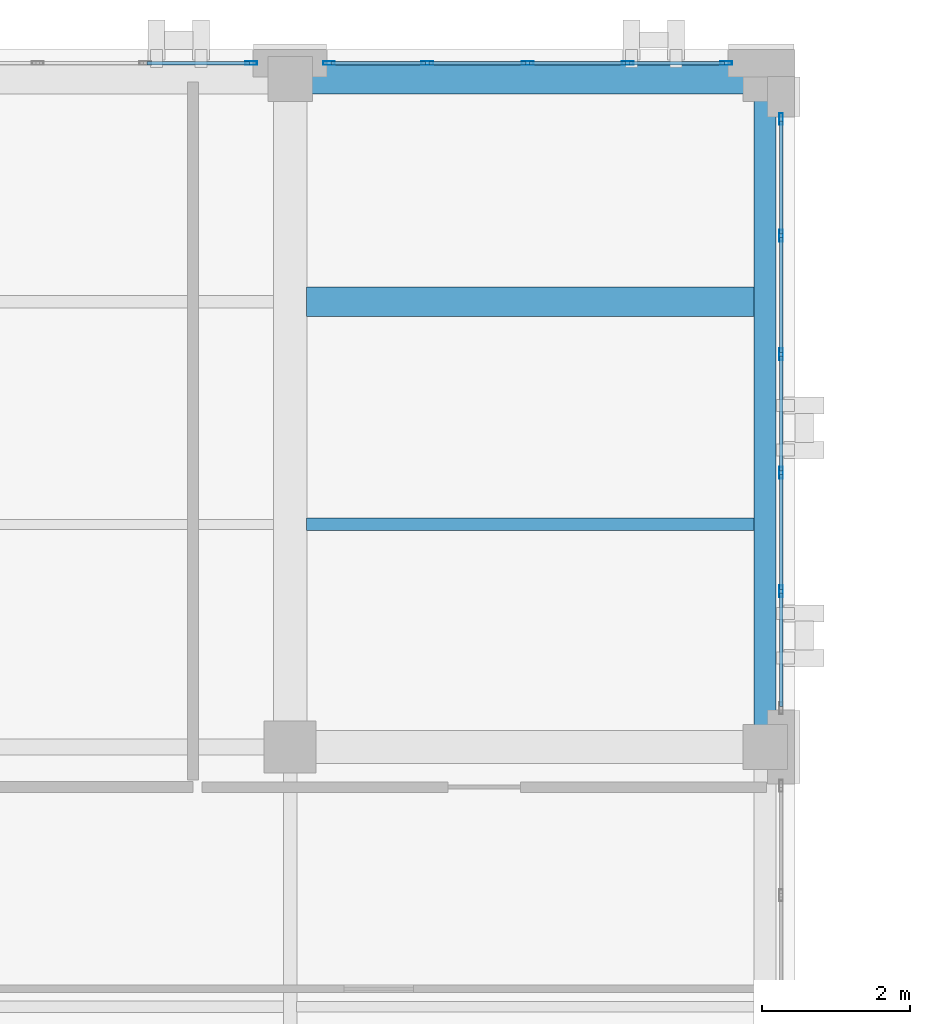
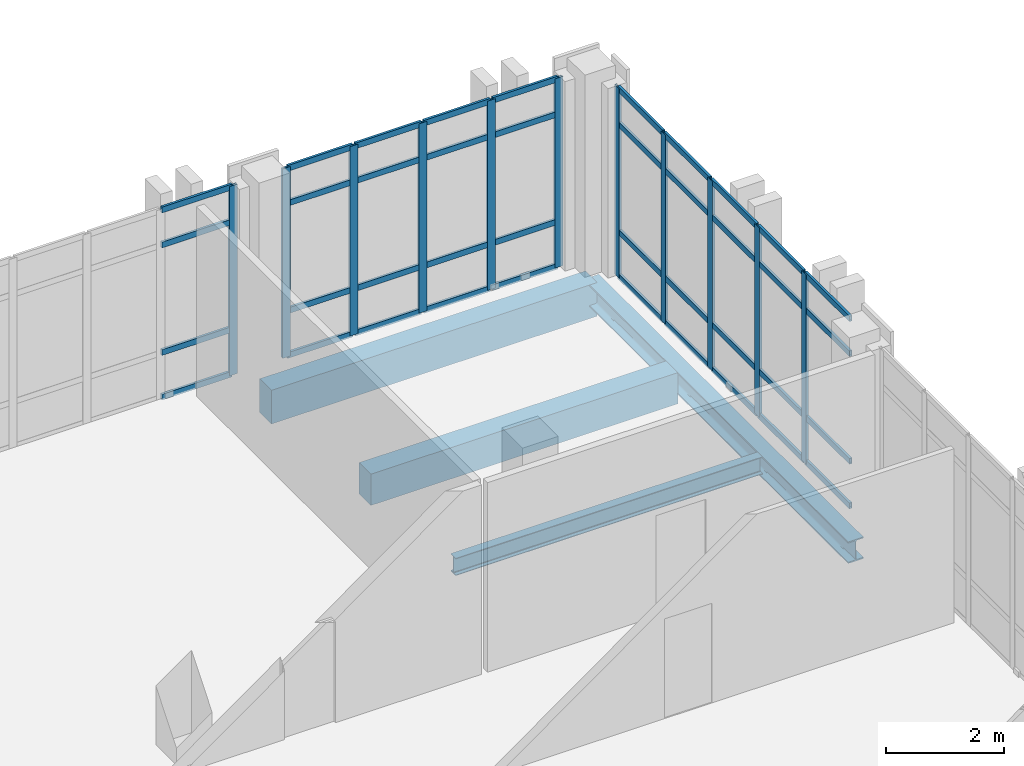
# One storey, part 50 of 77: 51 members, 4 beams, 3 elements without a shape of their own.
"""IFC4 building model written with IfcOpenShell, lengths in metres."""

import ifcopenshell
import ifcopenshell.guid

model = None  # the IFC model being written
_history = None  # IfcOwnerHistory: only IFC2X3 demands one
_inside = {}  # id of a spatial element -> (the spatial element, [elements in it])
_under = {}  # id of a project, library or spatial element -> (it, [spatial elements below it])
_declared = {}  # id of a project -> (the project, [libraries it declares])
_typed = {}  # id of a type object -> (the type object, [elements of that type])
_made_of = {}  # id of a material, layer set ... -> (it, [elements and type objects made of it])


def new_model(schema):
    """Start an empty IFC model of exactly this schema.

    Asked for "IFC4X3", IfcOpenShell would pick the latest addendum, in which some entities
    have other attributes; the version numbers below select the first issue.
    IFC2X3 requires an IfcOwnerHistory on every rooted entity: one is made here for all.
    """
    global model, _history
    if schema == "IFC4X3":
        model = ifcopenshell.file(schema_version=(4, 3, 0, 0))
    else:
        model = ifcopenshell.file(schema=schema)
    _inside.clear()
    _under.clear()
    _declared.clear()
    _typed.clear()
    _made_of.clear()
    _history = None
    if model.schema == "IFC2X3":
        org = make("IfcOrganization", Name="unknown")
        user = make(
            "IfcPersonAndOrganization",
            ThePerson=make("IfcPerson", FamilyName="unknown"),
            TheOrganization=org,
        )
        app = make(
            "IfcApplication",
            ApplicationDeveloper=org,
            Version="unknown",
            ApplicationFullName="unknown",
            ApplicationIdentifier="unknown",
        )
        _history = make(
            "IfcOwnerHistory",
            OwningUser=user,
            OwningApplication=app,
            ChangeAction="ADDED",
            CreationDate=0,
        )
    return model


def make(cls, **values):
    """One entity of the class cls with the attributes given. An attribute that is None is left unset."""
    return model.create_entity(
        cls, **{name: value for name, value in values.items() if value is not None}
    )


def rooted(cls, **values):
    """An entity with a GlobalId (a new one), such as an element, a storey or a relation."""
    return make(cls, GlobalId=ifcopenshell.guid.new(), OwnerHistory=_history, **values)


def si_unit(unit_type, name, prefix=None):
    """IfcSIUnit, for example si_unit("LENGTHUNIT", "METRE", prefix="MILLI")."""
    return make("IfcSIUnit", UnitType=unit_type, Prefix=prefix, Name=name)


def assignment(units):
    """IfcUnitAssignment: the units of a project."""
    return None if units is None else make("IfcUnitAssignment", Units=units)


def point(xyz):
    """IfcCartesianPoint."""
    return None if xyz is None else make("IfcCartesianPoint", Coordinates=xyz)


def direction(xyz):
    """IfcDirection."""
    return None if xyz is None else make("IfcDirection", DirectionRatios=xyz)


def frame(location, z_axis=None, x_axis=None):
    """IfcAxis2Placement3D, a coordinate frame: its origin and axes. An axis left out is left unset."""
    return make(
        "IfcAxis2Placement3D",
        Location=point(location),
        Axis=direction(z_axis),
        RefDirection=direction(x_axis),
    )


def frame_2d(location, x_axis=None):
    """IfcAxis2Placement2D, a coordinate frame in the plane: its origin and x axis."""
    return make(
        "IfcAxis2Placement2D", Location=point(location), RefDirection=direction(x_axis)
    )


def origin():
    """The frame at (0, 0, 0) with its axes left unset."""
    return frame((0.0, 0.0, 0.0))


def origin_2d():
    """The frame at (0, 0) in the plane with its x axis left unset."""
    return frame_2d((0.0, 0.0))


def place(relative_to, where):
    """IfcLocalPlacement: puts the frame where relative to a parent placement (None: the world)."""
    return make(
        "IfcLocalPlacement", PlacementRelTo=relative_to, RelativePlacement=where
    )


def context(
    kind, dimensions, precision=None, world=None, true_north=None, identifier=None
):
    """IfcGeometricRepresentationContext, for example the 3D "Model" context."""
    return make(
        "IfcGeometricRepresentationContext",
        ContextIdentifier=identifier,
        ContextType=kind,
        CoordinateSpaceDimension=dimensions,
        Precision=precision,
        WorldCoordinateSystem=world,
        TrueNorth=true_north,
    )


def subcontext(parent, identifier, kind, view, scale=None):
    """IfcGeometricRepresentationSubContext, for example "Body" below "Model"."""
    return make(
        "IfcGeometricRepresentationSubContext",
        ContextIdentifier=identifier,
        ContextType=kind,
        ParentContext=parent,
        TargetScale=scale,
        TargetView=view,
    )


def project(units=None, contexts=None):
    """IfcProject with its units and contexts."""
    return rooted(
        "IfcProject",
        Name="project",
        RepresentationContexts=contexts,
        UnitsInContext=assignment(units),
    )


def spatial(cls, under=None, at=None, **own):
    """A site, building, storey or space (cls), placed at a placement, below another one or the project."""
    s = rooted(cls, ObjectPlacement=at, **own)
    if under is not None:
        _under.setdefault(under.id(), (under, []))[1].append(s)
    return s


def profile(cls, at=None, kind="AREA", **sizes):
    """A parametric profile (cls). Its sizes go by their IFC names, for example OverallWidth=200.0."""
    return make(cls, ProfileType=kind, Position=at, **sizes)


def rectangle(**sizes):
    """IfcRectangleProfileDef."""
    return profile("IfcRectangleProfileDef", **sizes)


def hollow_rectangle(**sizes):
    """IfcRectangleHollowProfileDef."""
    return profile("IfcRectangleHollowProfileDef", **sizes)


def i_section(**sizes):
    """IfcIShapeProfileDef."""
    return profile("IfcIShapeProfileDef", **sizes)


def extrude(swept, where, along, depth):
    """IfcExtrudedAreaSolid: the profile swept, set in the frame where, extruded along a direction by depth."""
    return make(
        "IfcExtrudedAreaSolid",
        SweptArea=swept,
        Position=where,
        ExtrudedDirection=direction(along),
        Depth=depth,
    )


def shape(context_of_items, identifier, shape_type, items):
    """IfcShapeRepresentation: the items that make up one representation, for example the "Body"."""
    return make(
        "IfcShapeRepresentation",
        ContextOfItems=context_of_items,
        RepresentationIdentifier=identifier,
        RepresentationType=shape_type,
        Items=items,
    )


def material(Name=None, Category=None):
    """IfcMaterial."""
    return make("IfcMaterial", Name=Name, Category=Category)


def layer(
    of_material, thickness, ventilated=None, Name=None, Category=None, Priority=None
):
    """IfcMaterialLayer: one layer of a wall or slab, of a material (None: an air gap)."""
    return make(
        "IfcMaterialLayer",
        Material=of_material,
        LayerThickness=thickness,
        IsVentilated=ventilated,
        Name=Name,
        Category=Category,
        Priority=Priority,
    )


def layer_set(layers, Name=None):
    """IfcMaterialLayerSet."""
    return make("IfcMaterialLayerSet", MaterialLayers=layers, LayerSetName=Name)


def material_profile(
    of_material, cross_section, Name=None, Category=None, Priority=None
):
    """IfcMaterialProfile: a cross section and its material."""
    return make(
        "IfcMaterialProfile",
        Name=Name,
        Material=of_material,
        Profile=cross_section,
        Priority=Priority,
        Category=Category,
    )


def profile_set(profiles, Name=None, composite=None):
    """IfcMaterialProfileSet."""
    return make(
        "IfcMaterialProfileSet",
        Name=Name,
        MaterialProfiles=profiles,
        CompositeProfile=composite,
    )


def made_of(thing, what):
    """Note that an element or type object is made of a material, layer set ...; save() writes the relation."""
    if what is not None:
        _made_of.setdefault(what.id(), (what, []))[1].append(thing)
    return thing


def type_object(cls, material=None, **own):
    """A type object (cls), such as IfcWallType, which elements share."""
    return made_of(rooted(cls, **own), material)


def element(
    cls,
    number,
    at=None,
    inside=None,
    cuts=None,
    type_object=None,
    material=None,
    context=None,
    identifier="Body",
    shape_type=None,
    held_by="IfcProductDefinitionShape",
    body=None,
    shapes=None,
    **own,
):
    """One element of the class cls, such as IfcWall. Its Tag is "e" and its number.

    at: its placement. inside: the storey or other place that contains it. cuts: it is an
    opening in that element (IfcRelVoidsElement). A single representation is given by context,
    identifier, shape_type and body (its items); several are given by shapes. held_by: the class
    of the entity that holds the representations. save() writes the other relations.
    """
    e = rooted(cls, Tag="e%d" % number, ObjectPlacement=at, **own)
    if body is not None:
        shapes = [shape(context, identifier, shape_type, body)]
    if shapes is not None:
        e.Representation = make(held_by, Representations=shapes)
    if inside is not None:
        _inside.setdefault(inside.id(), (inside, []))[1].append(e)
    if cuts is not None:
        rooted(
            "IfcRelVoidsElement", RelatingBuildingElement=cuts, RelatedOpeningElement=e
        )
    if type_object is not None:
        _typed.setdefault(type_object.id(), (type_object, []))[1].append(e)
    return made_of(e, material)


def aggregate(whole, parts):
    """IfcRelAggregates: a whole, such as a stair, and the parts it consists of."""
    return rooted("IfcRelAggregates", RelatingObject=whole, RelatedObjects=parts)


def save(model, path):
    """Write the relations noted so far, then the file.

    IfcRelAggregates (storeys below a building ...), IfcRelContainedInSpatialStructure (elements
    in a storey), IfcRelDefinesByType, IfcRelAssociatesMaterial and IfcRelDeclares: one each for
    every whole, place, type object, material and project.
    """
    for whole, parts in _under.values():
        aggregate(whole, parts)
    for where, things in _inside.values():
        rooted(
            "IfcRelContainedInSpatialStructure",
            RelatedElements=things,
            RelatingStructure=where,
        )
    for kind, things in _typed.values():
        rooted("IfcRelDefinesByType", RelatedObjects=things, RelatingType=kind)
    for what, things in _made_of.values():
        rooted("IfcRelAssociatesMaterial", RelatedObjects=things, RelatingMaterial=what)
    for by, libraries in _declared.values():
        rooted("IfcRelDeclares", RelatingContext=by, RelatedDefinitions=libraries)
    model.write(path)


model = new_model("IFC4")

# Units and contexts
model_context = context("Model", 3, precision=1e-05, world=origin(), true_north=direction((0.0, 1.0)))
body_context = subcontext(model_context, "Body", "Model", "MODEL_VIEW")
ifc_project = project(units=[si_unit("LENGTHUNIT", "METRE"), si_unit("AREAUNIT", "SQUARE_METRE"), si_unit("VOLUMEUNIT", "CUBIC_METRE"), si_unit("PLANEANGLEUNIT", "RADIAN"), si_unit("MASSUNIT", "GRAM", prefix="KILO")], contexts=[model_context])

# Site, building, storey
site_placement = place(None, origin())
site = spatial("IfcSite", under=ifc_project, at=site_placement, CompositionType="ELEMENT")
building_placement = place(site_placement, origin())
building = spatial("IfcBuilding", under=site, at=building_placement, Name="Qalavern Law Courts", CompositionType="ELEMENT")
storey_placement = place(building_placement, frame((0.0, 0.0, 27.0)))
storey = spatial("IfcBuildingStorey", under=building, at=storey_placement, Name="L06", CompositionType="ELEMENT", Elevation=27.0)

# Curtain wall, members
ifc_material_1 = material(Name="Anodised aluminium and insulated glazing", Category="aluminium")
ifc_layer = layer(ifc_material_1, 0.166015625)
ifc_layer_set = layer_set([ifc_layer], Name="Anodised aluminium and insulated glazing")
curtain_wall_type = type_object("IfcCurtainWallType", Name="ENV-CW-LIB", PredefinedType="USERDEFINED", material=ifc_layer_set)
curtain_wall_1_placement = place(storey_placement, origin())
curtain_wall_1 = element("IfcCurtainWall", 1, at=curtain_wall_1_placement, inside=storey, type_object=curtain_wall_type, Name="V5 unitised curtain wall L06 east 2", ObjectType="UNITISED CURTAIN WALL", PredefinedType="USERDEFINED")
ifc_material_2 = material(Name="Anodised aluminium", Category="aluminium")
ifc_material_profile_1 = material_profile(ifc_material_2, hollow_rectangle(XDim=0.048095703125, YDim=0.159912109375, WallThickness=0.00390625, at=origin_2d()), Name="ALU MULLION 48x160")
ifc_profile_set_1 = profile_set([ifc_material_profile_1], Name="Anodised aluminium")
member_type_1 = type_object("IfcMemberType", Name="ENV-CWM-48x160", PredefinedType="MULLION", material=ifc_profile_set_1)
member_1_placement = place(storey_placement, frame((58.215087890625, 105.697021484375, 0.0), z_axis=(0.0, 0.0, 1.0), x_axis=(-1.0, 0.0, 0.0)))
member_1 = element("IfcMember", 2, at=member_1_placement, type_object=member_type_1, Name="CW-05 mullion 2", PredefinedType="MULLION", context=body_context, shape_type="SweptSolid", body=[
    extrude(hollow_rectangle(XDim=0.048095703125, YDim=0.159912109375, WallThickness=0.00390625, at=origin_2d()), origin(), (0.0, 0.0, 1.0), 3.93505859375),
])
member_2_placement = place(storey_placement, frame((58.215087890625, 107.2939453125, 0.0), z_axis=(0.0, 0.0, 1.0), x_axis=(-1.0, 0.0, 0.0)))
member_2 = element("IfcMember", 3, at=member_2_placement, type_object=member_type_1, Name="CW-05 mullion 3", PredefinedType="MULLION", context=body_context, shape_type="SweptSolid", body=[
    extrude(hollow_rectangle(XDim=0.048095703125, YDim=0.159912109375, WallThickness=0.00390625, at=origin_2d()), origin(), (0.0, 0.0, 1.0), 3.93505859375),
])
member_3_placement = place(storey_placement, frame((58.215087890625, 108.89111328125, 0.0), z_axis=(0.0, 0.0, 1.0), x_axis=(-1.0, 0.0, 0.0)))
member_3 = element("IfcMember", 4, at=member_3_placement, type_object=member_type_1, Name="CW-05 mullion 4", PredefinedType="MULLION", context=body_context, shape_type="SweptSolid", body=[
    extrude(hollow_rectangle(XDim=0.048095703125, YDim=0.159912109375, WallThickness=0.00390625, at=origin_2d()), origin(), (0.0, 0.0, 1.0), 3.93505859375),
])
member_4_placement = place(storey_placement, frame((58.215087890625, 110.488037109375, 0.0), z_axis=(0.0, 0.0, 1.0), x_axis=(-1.0, 0.0, 0.0)))
member_4 = element("IfcMember", 5, at=member_4_placement, type_object=member_type_1, Name="CW-05 mullion 5", PredefinedType="MULLION", context=body_context, shape_type="SweptSolid", body=[
    extrude(hollow_rectangle(XDim=0.048095703125, YDim=0.159912109375, WallThickness=0.00390625, at=origin_2d()), origin(), (0.0, 0.0, 1.0), 3.93505859375),
])
member_5_placement = place(storey_placement, frame((58.215087890625, 112.06103515625, 0.0), z_axis=(0.0, 0.0, 1.0), x_axis=(-1.0, 0.0, 0.0)))
member_5 = element("IfcMember", 6, at=member_5_placement, type_object=member_type_1, Name="CW-05 mullion 6", PredefinedType="MULLION", context=body_context, shape_type="SweptSolid", body=[
    extrude(hollow_rectangle(XDim=0.048095703125, YDim=0.159912109375, WallThickness=0.00390625, at=origin_2d()), origin(), (0.0, 0.0, 1.0), 3.93505859375),
])

curtain_wall_2_placement = place(storey_placement, origin())
curtain_wall_2 = element("IfcCurtainWall", 7, at=curtain_wall_2_placement, inside=storey, type_object=curtain_wall_type, Name="V5 unitised curtain wall L06 north 1", ObjectType="UNITISED CURTAIN WALL", PredefinedType="USERDEFINED")
member_6_placement = place(storey_placement, frame((57.47607421875, 112.81494140625, 0.0), z_axis=(0.0, 0.0, 1.0), x_axis=(0.0, -1.0, 0.0)))
member_6 = element("IfcMember", 8, at=member_6_placement, type_object=member_type_1, Name="CW-05 mullion 1", PredefinedType="MULLION", context=body_context, shape_type="SweptSolid", body=[
    extrude(hollow_rectangle(XDim=0.048095703125, YDim=0.159912109375, WallThickness=0.00390625, at=origin_2d()), origin(), (0.0, 0.0, 1.0), 3.93505859375),
])
member_7_placement = place(storey_placement, frame((56.14990234375, 112.81494140625, 0.0), z_axis=(0.0, 0.0, 1.0), x_axis=(0.0, -1.0, 0.0)))
member_7 = element("IfcMember", 9, at=member_7_placement, type_object=member_type_1, Name="CW-05 mullion 2", PredefinedType="MULLION", context=body_context, shape_type="SweptSolid", body=[
    extrude(hollow_rectangle(XDim=0.048095703125, YDim=0.159912109375, WallThickness=0.00390625, at=origin_2d()), origin(), (0.0, 0.0, 1.0), 3.93505859375),
])
member_8_placement = place(storey_placement, frame((54.800048828125, 112.81494140625, 0.0), z_axis=(0.0, 0.0, 1.0), x_axis=(0.0, -1.0, 0.0)))
member_8 = element("IfcMember", 10, at=member_8_placement, type_object=member_type_1, Name="CW-05 mullion 3", PredefinedType="MULLION", context=body_context, shape_type="SweptSolid", body=[
    extrude(hollow_rectangle(XDim=0.048095703125, YDim=0.159912109375, WallThickness=0.00390625, at=origin_2d()), origin(), (0.0, 0.0, 1.0), 3.93505859375),
])
member_9_placement = place(storey_placement, frame((53.449951171875, 112.81494140625, 0.0), z_axis=(0.0, 0.0, 1.0), x_axis=(0.0, -1.0, 0.0)))
member_9 = element("IfcMember", 11, at=member_9_placement, type_object=member_type_1, Name="CW-05 mullion 4", PredefinedType="MULLION", context=body_context, shape_type="SweptSolid", body=[
    extrude(hollow_rectangle(XDim=0.048095703125, YDim=0.159912109375, WallThickness=0.00390625, at=origin_2d()), origin(), (0.0, 0.0, 1.0), 3.93505859375),
])
member_10_placement = place(storey_placement, frame((52.1240234375, 112.81494140625, 0.0), z_axis=(0.0, 0.0, 1.0), x_axis=(0.0, -1.0, 0.0)))
member_10 = element("IfcMember", 12, at=member_10_placement, type_object=member_type_1, Name="CW-05 mullion 5", PredefinedType="MULLION", context=body_context, shape_type="SweptSolid", body=[
    extrude(hollow_rectangle(XDim=0.048095703125, YDim=0.159912109375, WallThickness=0.00390625, at=origin_2d()), origin(), (0.0, 0.0, 1.0), 3.93505859375),
])

# Curtain wall, member
curtain_wall_3_placement = place(storey_placement, origin())
curtain_wall_3 = element("IfcCurtainWall", 13, at=curtain_wall_3_placement, inside=storey, type_object=curtain_wall_type, Name="V5 unitised curtain wall L06 north 2", ObjectType="UNITISED CURTAIN WALL", PredefinedType="USERDEFINED")
member_11_placement = place(storey_placement, frame((51.075927734375, 112.81494140625, 0.0), z_axis=(0.0, 0.0, 1.0), x_axis=(0.0, -1.0, 0.0)))
member_11 = element("IfcMember", 14, at=member_11_placement, type_object=member_type_1, Name="CW-05 mullion 1", PredefinedType="MULLION", context=body_context, shape_type="SweptSolid", body=[
    extrude(hollow_rectangle(XDim=0.048095703125, YDim=0.159912109375, WallThickness=0.00390625, at=origin_2d()), origin(), (0.0, 0.0, 1.0), 3.93505859375),
])

# Member
ifc_material_profile_2 = material_profile(ifc_material_2, hollow_rectangle(XDim=0.048095703125, YDim=0.1201171875, WallThickness=0.00390625, at=origin_2d()), Name="ALU TRANSOM 48x120")
ifc_profile_set_2 = profile_set([ifc_material_profile_2], Name="Anodised aluminium")
member_type_2 = type_object("IfcMemberType", Name="ENV-CWT-48x120", PredefinedType="USERDEFINED", material=ifc_profile_set_2)
member_12_placement = place(storey_placement, frame((58.215087890625, 104.14794921875, 0.02392578125), z_axis=(0.0, 1.0, 0.0), x_axis=(-1.0, 0.0, 0.0)))
member_12 = element("IfcMember", 15, at=member_12_placement, type_object=member_type_2, Name="CW-05 transom 1.1", ObjectType="TRANSOM", PredefinedType="USERDEFINED", context=body_context, shape_type="SweptSolid", body=[
    extrude(hollow_rectangle(XDim=0.048095703125, YDim=0.1201171875, WallThickness=0.00390625, at=origin_2d()), origin(), (0.0, 0.0, 1.0), 1.525146484375),
])

member_13_placement = place(storey_placement, frame((58.215087890625, 104.14794921875, 0.949951171875), z_axis=(0.0, 1.0, 0.0), x_axis=(-1.0, 0.0, 0.0)))
member_13 = element("IfcMember", 16, at=member_13_placement, type_object=member_type_2, Name="CW-05 transom 1.2", ObjectType="TRANSOM", PredefinedType="USERDEFINED", context=body_context, shape_type="SweptSolid", body=[
    extrude(hollow_rectangle(XDim=0.048095703125, YDim=0.1201171875, WallThickness=0.00390625, at=origin_2d()), origin(), (0.0, 0.0, 1.0), 1.525146484375),
])

member_14_placement = place(storey_placement, frame((58.215087890625, 104.14794921875, 3.18505859375), z_axis=(0.0, 1.0, 0.0), x_axis=(-1.0, 0.0, 0.0)))
member_14 = element("IfcMember", 17, at=member_14_placement, type_object=member_type_2, Name="CW-05 transom 1.3", ObjectType="TRANSOM", PredefinedType="USERDEFINED", context=body_context, shape_type="SweptSolid", body=[
    extrude(hollow_rectangle(XDim=0.048095703125, YDim=0.1201171875, WallThickness=0.00390625, at=origin_2d()), origin(), (0.0, 0.0, 1.0), 1.525146484375),
])

member_15_placement = place(storey_placement, frame((58.215087890625, 104.14794921875, 3.910888671875), z_axis=(0.0, 1.0, 0.0), x_axis=(-1.0, 0.0, 0.0)))
member_15 = element("IfcMember", 18, at=member_15_placement, type_object=member_type_2, Name="CW-05 transom 1.4", ObjectType="TRANSOM", PredefinedType="USERDEFINED", context=body_context, shape_type="SweptSolid", body=[
    extrude(hollow_rectangle(XDim=0.048095703125, YDim=0.1201171875, WallThickness=0.00390625, at=origin_2d()), origin(), (0.0, 0.0, 1.0), 1.525146484375),
])

member_16_placement = place(storey_placement, frame((58.215087890625, 105.720947265625, 0.02392578125), z_axis=(0.0, 1.0, 0.0), x_axis=(-1.0, 0.0, 0.0)))
member_16 = element("IfcMember", 19, at=member_16_placement, type_object=member_type_2, Name="CW-05 transom 2.1", ObjectType="TRANSOM", PredefinedType="USERDEFINED", context=body_context, shape_type="SweptSolid", body=[
    extrude(hollow_rectangle(XDim=0.048095703125, YDim=0.1201171875, WallThickness=0.00390625, at=origin_2d()), origin(), (0.0, 0.0, 1.0), 1.549072265625),
])

member_17_placement = place(storey_placement, frame((58.215087890625, 105.720947265625, 0.949951171875), z_axis=(0.0, 1.0, 0.0), x_axis=(-1.0, 0.0, 0.0)))
member_17 = element("IfcMember", 20, at=member_17_placement, type_object=member_type_2, Name="CW-05 transom 2.2", ObjectType="TRANSOM", PredefinedType="USERDEFINED", context=body_context, shape_type="SweptSolid", body=[
    extrude(hollow_rectangle(XDim=0.048095703125, YDim=0.1201171875, WallThickness=0.00390625, at=origin_2d()), origin(), (0.0, 0.0, 1.0), 1.549072265625),
])

member_18_placement = place(storey_placement, frame((58.215087890625, 105.720947265625, 3.18505859375), z_axis=(0.0, 1.0, 0.0), x_axis=(-1.0, 0.0, 0.0)))
member_18 = element("IfcMember", 21, at=member_18_placement, type_object=member_type_2, Name="CW-05 transom 2.3", ObjectType="TRANSOM", PredefinedType="USERDEFINED", context=body_context, shape_type="SweptSolid", body=[
    extrude(hollow_rectangle(XDim=0.048095703125, YDim=0.1201171875, WallThickness=0.00390625, at=origin_2d()), origin(), (0.0, 0.0, 1.0), 1.549072265625),
])

member_19_placement = place(storey_placement, frame((58.215087890625, 105.720947265625, 3.910888671875), z_axis=(0.0, 1.0, 0.0), x_axis=(-1.0, 0.0, 0.0)))
member_19 = element("IfcMember", 22, at=member_19_placement, type_object=member_type_2, Name="CW-05 transom 2.4", ObjectType="TRANSOM", PredefinedType="USERDEFINED", context=body_context, shape_type="SweptSolid", body=[
    extrude(hollow_rectangle(XDim=0.048095703125, YDim=0.1201171875, WallThickness=0.00390625, at=origin_2d()), origin(), (0.0, 0.0, 1.0), 1.549072265625),
])

member_20_placement = place(storey_placement, frame((58.215087890625, 107.318115234375, 0.02392578125), z_axis=(0.0, 1.0, 0.0), x_axis=(-1.0, 0.0, 0.0)))
member_20 = element("IfcMember", 23, at=member_20_placement, type_object=member_type_2, Name="CW-05 transom 3.1", ObjectType="TRANSOM", PredefinedType="USERDEFINED", context=body_context, shape_type="SweptSolid", body=[
    extrude(hollow_rectangle(XDim=0.048095703125, YDim=0.1201171875, WallThickness=0.00390625, at=origin_2d()), origin(), (0.0, 0.0, 1.0), 1.548828125),
])

member_21_placement = place(storey_placement, frame((58.215087890625, 107.318115234375, 0.949951171875), z_axis=(0.0, 1.0, 0.0), x_axis=(-1.0, 0.0, 0.0)))
member_21 = element("IfcMember", 24, at=member_21_placement, type_object=member_type_2, Name="CW-05 transom 3.2", ObjectType="TRANSOM", PredefinedType="USERDEFINED", context=body_context, shape_type="SweptSolid", body=[
    extrude(hollow_rectangle(XDim=0.048095703125, YDim=0.1201171875, WallThickness=0.00390625, at=origin_2d()), origin(), (0.0, 0.0, 1.0), 1.548828125),
])

member_22_placement = place(storey_placement, frame((58.215087890625, 107.318115234375, 3.18505859375), z_axis=(0.0, 1.0, 0.0), x_axis=(-1.0, 0.0, 0.0)))
member_22 = element("IfcMember", 25, at=member_22_placement, type_object=member_type_2, Name="CW-05 transom 3.3", ObjectType="TRANSOM", PredefinedType="USERDEFINED", context=body_context, shape_type="SweptSolid", body=[
    extrude(hollow_rectangle(XDim=0.048095703125, YDim=0.1201171875, WallThickness=0.00390625, at=origin_2d()), origin(), (0.0, 0.0, 1.0), 1.548828125),
])

member_23_placement = place(storey_placement, frame((58.215087890625, 107.318115234375, 3.910888671875), z_axis=(0.0, 1.0, 0.0), x_axis=(-1.0, 0.0, 0.0)))
member_23 = element("IfcMember", 26, at=member_23_placement, type_object=member_type_2, Name="CW-05 transom 3.4", ObjectType="TRANSOM", PredefinedType="USERDEFINED", context=body_context, shape_type="SweptSolid", body=[
    extrude(hollow_rectangle(XDim=0.048095703125, YDim=0.1201171875, WallThickness=0.00390625, at=origin_2d()), origin(), (0.0, 0.0, 1.0), 1.548828125),
])

member_24_placement = place(storey_placement, frame((58.215087890625, 108.9150390625, 0.02392578125), z_axis=(0.0, 1.0, 0.0), x_axis=(-1.0, 0.0, 0.0)))
member_24 = element("IfcMember", 27, at=member_24_placement, type_object=member_type_2, Name="CW-05 transom 4.1", ObjectType="TRANSOM", PredefinedType="USERDEFINED", context=body_context, shape_type="SweptSolid", body=[
    extrude(hollow_rectangle(XDim=0.048095703125, YDim=0.1201171875, WallThickness=0.00390625, at=origin_2d()), origin(), (0.0, 0.0, 1.0), 1.549072265625),
])

member_25_placement = place(storey_placement, frame((58.215087890625, 108.9150390625, 0.949951171875), z_axis=(0.0, 1.0, 0.0), x_axis=(-1.0, 0.0, 0.0)))
member_25 = element("IfcMember", 28, at=member_25_placement, type_object=member_type_2, Name="CW-05 transom 4.2", ObjectType="TRANSOM", PredefinedType="USERDEFINED", context=body_context, shape_type="SweptSolid", body=[
    extrude(hollow_rectangle(XDim=0.048095703125, YDim=0.1201171875, WallThickness=0.00390625, at=origin_2d()), origin(), (0.0, 0.0, 1.0), 1.549072265625),
])

member_26_placement = place(storey_placement, frame((58.215087890625, 108.9150390625, 3.18505859375), z_axis=(0.0, 1.0, 0.0), x_axis=(-1.0, 0.0, 0.0)))
member_26 = element("IfcMember", 29, at=member_26_placement, type_object=member_type_2, Name="CW-05 transom 4.3", ObjectType="TRANSOM", PredefinedType="USERDEFINED", context=body_context, shape_type="SweptSolid", body=[
    extrude(hollow_rectangle(XDim=0.048095703125, YDim=0.1201171875, WallThickness=0.00390625, at=origin_2d()), origin(), (0.0, 0.0, 1.0), 1.549072265625),
])

member_27_placement = place(storey_placement, frame((58.215087890625, 108.9150390625, 3.910888671875), z_axis=(0.0, 1.0, 0.0), x_axis=(-1.0, 0.0, 0.0)))
member_27 = element("IfcMember", 30, at=member_27_placement, type_object=member_type_2, Name="CW-05 transom 4.4", ObjectType="TRANSOM", PredefinedType="USERDEFINED", context=body_context, shape_type="SweptSolid", body=[
    extrude(hollow_rectangle(XDim=0.048095703125, YDim=0.1201171875, WallThickness=0.00390625, at=origin_2d()), origin(), (0.0, 0.0, 1.0), 1.549072265625),
])

member_28_placement = place(storey_placement, frame((58.215087890625, 110.511962890625, 0.02392578125), z_axis=(0.0, 1.0, 0.0), x_axis=(-1.0, 0.0, 0.0)))
member_28 = element("IfcMember", 31, at=member_28_placement, type_object=member_type_2, Name="CW-05 transom 5.1", ObjectType="TRANSOM", PredefinedType="USERDEFINED", context=body_context, shape_type="SweptSolid", body=[
    extrude(hollow_rectangle(XDim=0.048095703125, YDim=0.1201171875, WallThickness=0.00390625, at=origin_2d()), origin(), (0.0, 0.0, 1.0), 1.525146484375),
])

member_29_placement = place(storey_placement, frame((58.215087890625, 110.511962890625, 0.949951171875), z_axis=(0.0, 1.0, 0.0), x_axis=(-1.0, 0.0, 0.0)))
member_29 = element("IfcMember", 32, at=member_29_placement, type_object=member_type_2, Name="CW-05 transom 5.2", ObjectType="TRANSOM", PredefinedType="USERDEFINED", context=body_context, shape_type="SweptSolid", body=[
    extrude(hollow_rectangle(XDim=0.048095703125, YDim=0.1201171875, WallThickness=0.00390625, at=origin_2d()), origin(), (0.0, 0.0, 1.0), 1.525146484375),
])

member_30_placement = place(storey_placement, frame((58.215087890625, 110.511962890625, 3.18505859375), z_axis=(0.0, 1.0, 0.0), x_axis=(-1.0, 0.0, 0.0)))
member_30 = element("IfcMember", 33, at=member_30_placement, type_object=member_type_2, Name="CW-05 transom 5.3", ObjectType="TRANSOM", PredefinedType="USERDEFINED", context=body_context, shape_type="SweptSolid", body=[
    extrude(hollow_rectangle(XDim=0.048095703125, YDim=0.1201171875, WallThickness=0.00390625, at=origin_2d()), origin(), (0.0, 0.0, 1.0), 1.525146484375),
])

member_31_placement = place(storey_placement, frame((58.215087890625, 110.511962890625, 3.910888671875), z_axis=(0.0, 1.0, 0.0), x_axis=(-1.0, 0.0, 0.0)))
member_31 = element("IfcMember", 34, at=member_31_placement, type_object=member_type_2, Name="CW-05 transom 5.4", ObjectType="TRANSOM", PredefinedType="USERDEFINED", context=body_context, shape_type="SweptSolid", body=[
    extrude(hollow_rectangle(XDim=0.048095703125, YDim=0.1201171875, WallThickness=0.00390625, at=origin_2d()), origin(), (0.0, 0.0, 1.0), 1.525146484375),
])

aggregate(curtain_wall_1, [member_1, member_2, member_3, member_4, member_5, member_12, member_13, member_14, member_15, member_16, member_17, member_18, member_19, member_20, member_21, member_22, member_23, member_24, member_25, member_26, member_27, member_28, member_29, member_30, member_31])

member_32_placement = place(storey_placement, frame((57.451904296875, 112.81494140625, 0.02392578125), z_axis=(-1.0, 0.0, 0.0), x_axis=(0.0, -1.0, 0.0)))
member_32 = element("IfcMember", 35, at=member_32_placement, type_object=member_type_2, Name="CW-05 transom 1.1", ObjectType="TRANSOM", PredefinedType="USERDEFINED", context=body_context, shape_type="SweptSolid", body=[
    extrude(hollow_rectangle(XDim=0.048095703125, YDim=0.1201171875, WallThickness=0.00390625, at=origin_2d()), origin(), (0.0, 0.0, 1.0), 1.27783203125),
])

member_33_placement = place(storey_placement, frame((57.451904296875, 112.81494140625, 0.949951171875), z_axis=(-1.0, 0.0, 0.0), x_axis=(0.0, -1.0, 0.0)))
member_33 = element("IfcMember", 36, at=member_33_placement, type_object=member_type_2, Name="CW-05 transom 1.2", ObjectType="TRANSOM", PredefinedType="USERDEFINED", context=body_context, shape_type="SweptSolid", body=[
    extrude(hollow_rectangle(XDim=0.048095703125, YDim=0.1201171875, WallThickness=0.00390625, at=origin_2d()), origin(), (0.0, 0.0, 1.0), 1.27783203125),
])

member_34_placement = place(storey_placement, frame((57.451904296875, 112.81494140625, 3.18505859375), z_axis=(-1.0, 0.0, 0.0), x_axis=(0.0, -1.0, 0.0)))
member_34 = element("IfcMember", 37, at=member_34_placement, type_object=member_type_2, Name="CW-05 transom 1.3", ObjectType="TRANSOM", PredefinedType="USERDEFINED", context=body_context, shape_type="SweptSolid", body=[
    extrude(hollow_rectangle(XDim=0.048095703125, YDim=0.1201171875, WallThickness=0.00390625, at=origin_2d()), origin(), (0.0, 0.0, 1.0), 1.27783203125),
])

member_35_placement = place(storey_placement, frame((57.451904296875, 112.81494140625, 3.910888671875), z_axis=(-1.0, 0.0, 0.0), x_axis=(0.0, -1.0, 0.0)))
member_35 = element("IfcMember", 38, at=member_35_placement, type_object=member_type_2, Name="CW-05 transom 1.4", ObjectType="TRANSOM", PredefinedType="USERDEFINED", context=body_context, shape_type="SweptSolid", body=[
    extrude(hollow_rectangle(XDim=0.048095703125, YDim=0.1201171875, WallThickness=0.00390625, at=origin_2d()), origin(), (0.0, 0.0, 1.0), 1.27783203125),
])

member_36_placement = place(storey_placement, frame((56.1259765625, 112.81494140625, 0.02392578125), z_axis=(-1.0, 0.0, 0.0), x_axis=(0.0, -1.0, 0.0)))
member_36 = element("IfcMember", 39, at=member_36_placement, type_object=member_type_2, Name="CW-05 transom 2.1", ObjectType="TRANSOM", PredefinedType="USERDEFINED", context=body_context, shape_type="SweptSolid", body=[
    extrude(hollow_rectangle(XDim=0.048095703125, YDim=0.1201171875, WallThickness=0.00390625, at=origin_2d()), origin(), (0.0, 0.0, 1.0), 1.302001953125),
])

member_37_placement = place(storey_placement, frame((56.1259765625, 112.81494140625, 0.949951171875), z_axis=(-1.0, 0.0, 0.0), x_axis=(0.0, -1.0, 0.0)))
member_37 = element("IfcMember", 40, at=member_37_placement, type_object=member_type_2, Name="CW-05 transom 2.2", ObjectType="TRANSOM", PredefinedType="USERDEFINED", context=body_context, shape_type="SweptSolid", body=[
    extrude(hollow_rectangle(XDim=0.048095703125, YDim=0.1201171875, WallThickness=0.00390625, at=origin_2d()), origin(), (0.0, 0.0, 1.0), 1.302001953125),
])

member_38_placement = place(storey_placement, frame((56.1259765625, 112.81494140625, 3.18505859375), z_axis=(-1.0, 0.0, 0.0), x_axis=(0.0, -1.0, 0.0)))
member_38 = element("IfcMember", 41, at=member_38_placement, type_object=member_type_2, Name="CW-05 transom 2.3", ObjectType="TRANSOM", PredefinedType="USERDEFINED", context=body_context, shape_type="SweptSolid", body=[
    extrude(hollow_rectangle(XDim=0.048095703125, YDim=0.1201171875, WallThickness=0.00390625, at=origin_2d()), origin(), (0.0, 0.0, 1.0), 1.302001953125),
])

member_39_placement = place(storey_placement, frame((56.1259765625, 112.81494140625, 3.910888671875), z_axis=(-1.0, 0.0, 0.0), x_axis=(0.0, -1.0, 0.0)))
member_39 = element("IfcMember", 42, at=member_39_placement, type_object=member_type_2, Name="CW-05 transom 2.4", ObjectType="TRANSOM", PredefinedType="USERDEFINED", context=body_context, shape_type="SweptSolid", body=[
    extrude(hollow_rectangle(XDim=0.048095703125, YDim=0.1201171875, WallThickness=0.00390625, at=origin_2d()), origin(), (0.0, 0.0, 1.0), 1.302001953125),
])

member_40_placement = place(storey_placement, frame((54.77587890625, 112.81494140625, 0.02392578125), z_axis=(-1.0, 0.0, 0.0), x_axis=(0.0, -1.0, 0.0)))
member_40 = element("IfcMember", 43, at=member_40_placement, type_object=member_type_2, Name="CW-05 transom 3.1", ObjectType="TRANSOM", PredefinedType="USERDEFINED", context=body_context, shape_type="SweptSolid", body=[
    extrude(hollow_rectangle(XDim=0.048095703125, YDim=0.1201171875, WallThickness=0.00390625, at=origin_2d()), origin(), (0.0, 0.0, 1.0), 1.3017578125),
])

member_41_placement = place(storey_placement, frame((54.77587890625, 112.81494140625, 0.949951171875), z_axis=(-1.0, 0.0, 0.0), x_axis=(0.0, -1.0, 0.0)))
member_41 = element("IfcMember", 44, at=member_41_placement, type_object=member_type_2, Name="CW-05 transom 3.2", ObjectType="TRANSOM", PredefinedType="USERDEFINED", context=body_context, shape_type="SweptSolid", body=[
    extrude(hollow_rectangle(XDim=0.048095703125, YDim=0.1201171875, WallThickness=0.00390625, at=origin_2d()), origin(), (0.0, 0.0, 1.0), 1.3017578125),
])

member_42_placement = place(storey_placement, frame((54.77587890625, 112.81494140625, 3.18505859375), z_axis=(-1.0, 0.0, 0.0), x_axis=(0.0, -1.0, 0.0)))
member_42 = element("IfcMember", 45, at=member_42_placement, type_object=member_type_2, Name="CW-05 transom 3.3", ObjectType="TRANSOM", PredefinedType="USERDEFINED", context=body_context, shape_type="SweptSolid", body=[
    extrude(hollow_rectangle(XDim=0.048095703125, YDim=0.1201171875, WallThickness=0.00390625, at=origin_2d()), origin(), (0.0, 0.0, 1.0), 1.3017578125),
])

member_43_placement = place(storey_placement, frame((54.77587890625, 112.81494140625, 3.910888671875), z_axis=(-1.0, 0.0, 0.0), x_axis=(0.0, -1.0, 0.0)))
member_43 = element("IfcMember", 46, at=member_43_placement, type_object=member_type_2, Name="CW-05 transom 3.4", ObjectType="TRANSOM", PredefinedType="USERDEFINED", context=body_context, shape_type="SweptSolid", body=[
    extrude(hollow_rectangle(XDim=0.048095703125, YDim=0.1201171875, WallThickness=0.00390625, at=origin_2d()), origin(), (0.0, 0.0, 1.0), 1.3017578125),
])

member_44_placement = place(storey_placement, frame((53.426025390625, 112.81494140625, 0.02392578125), z_axis=(-1.0, 0.0, 0.0), x_axis=(0.0, -1.0, 0.0)))
member_44 = element("IfcMember", 47, at=member_44_placement, type_object=member_type_2, Name="CW-05 transom 4.1", ObjectType="TRANSOM", PredefinedType="USERDEFINED", context=body_context, shape_type="SweptSolid", body=[
    extrude(hollow_rectangle(XDim=0.048095703125, YDim=0.1201171875, WallThickness=0.00390625, at=origin_2d()), origin(), (0.0, 0.0, 1.0), 1.278076171875),
])

member_45_placement = place(storey_placement, frame((53.426025390625, 112.81494140625, 0.949951171875), z_axis=(-1.0, 0.0, 0.0), x_axis=(0.0, -1.0, 0.0)))
member_45 = element("IfcMember", 48, at=member_45_placement, type_object=member_type_2, Name="CW-05 transom 4.2", ObjectType="TRANSOM", PredefinedType="USERDEFINED", context=body_context, shape_type="SweptSolid", body=[
    extrude(hollow_rectangle(XDim=0.048095703125, YDim=0.1201171875, WallThickness=0.00390625, at=origin_2d()), origin(), (0.0, 0.0, 1.0), 1.278076171875),
])

member_46_placement = place(storey_placement, frame((53.426025390625, 112.81494140625, 3.18505859375), z_axis=(-1.0, 0.0, 0.0), x_axis=(0.0, -1.0, 0.0)))
member_46 = element("IfcMember", 49, at=member_46_placement, type_object=member_type_2, Name="CW-05 transom 4.3", ObjectType="TRANSOM", PredefinedType="USERDEFINED", context=body_context, shape_type="SweptSolid", body=[
    extrude(hollow_rectangle(XDim=0.048095703125, YDim=0.1201171875, WallThickness=0.00390625, at=origin_2d()), origin(), (0.0, 0.0, 1.0), 1.278076171875),
])

member_47_placement = place(storey_placement, frame((53.426025390625, 112.81494140625, 3.910888671875), z_axis=(-1.0, 0.0, 0.0), x_axis=(0.0, -1.0, 0.0)))
member_47 = element("IfcMember", 50, at=member_47_placement, type_object=member_type_2, Name="CW-05 transom 4.4", ObjectType="TRANSOM", PredefinedType="USERDEFINED", context=body_context, shape_type="SweptSolid", body=[
    extrude(hollow_rectangle(XDim=0.048095703125, YDim=0.1201171875, WallThickness=0.00390625, at=origin_2d()), origin(), (0.0, 0.0, 1.0), 1.278076171875),
])

aggregate(curtain_wall_2, [member_6, member_7, member_8, member_9, member_10, member_32, member_33, member_34, member_35, member_36, member_37, member_38, member_39, member_40, member_41, member_42, member_43, member_44, member_45, member_46, member_47])

member_48_placement = place(storey_placement, frame((51.052001953125, 112.81494140625, 0.02392578125), z_axis=(-1.0, 0.0, 0.0), x_axis=(0.0, -1.0, 0.0)))
member_48 = element("IfcMember", 51, at=member_48_placement, type_object=member_type_2, Name="CW-05 transom 1.1", ObjectType="TRANSOM", PredefinedType="USERDEFINED", context=body_context, shape_type="SweptSolid", body=[
    extrude(hollow_rectangle(XDim=0.048095703125, YDim=0.1201171875, WallThickness=0.00390625, at=origin_2d()), origin(), (0.0, 0.0, 1.0), 1.3779296875),
])

member_49_placement = place(storey_placement, frame((51.052001953125, 112.81494140625, 0.949951171875), z_axis=(-1.0, 0.0, 0.0), x_axis=(0.0, -1.0, 0.0)))
member_49 = element("IfcMember", 52, at=member_49_placement, type_object=member_type_2, Name="CW-05 transom 1.2", ObjectType="TRANSOM", PredefinedType="USERDEFINED", context=body_context, shape_type="SweptSolid", body=[
    extrude(hollow_rectangle(XDim=0.048095703125, YDim=0.1201171875, WallThickness=0.00390625, at=origin_2d()), origin(), (0.0, 0.0, 1.0), 1.3779296875),
])

member_50_placement = place(storey_placement, frame((51.052001953125, 112.81494140625, 3.18505859375), z_axis=(-1.0, 0.0, 0.0), x_axis=(0.0, -1.0, 0.0)))
member_50 = element("IfcMember", 53, at=member_50_placement, type_object=member_type_2, Name="CW-05 transom 1.3", ObjectType="TRANSOM", PredefinedType="USERDEFINED", context=body_context, shape_type="SweptSolid", body=[
    extrude(hollow_rectangle(XDim=0.048095703125, YDim=0.1201171875, WallThickness=0.00390625, at=origin_2d()), origin(), (0.0, 0.0, 1.0), 1.3779296875),
])

member_51_placement = place(storey_placement, frame((51.052001953125, 112.81494140625, 3.910888671875), z_axis=(-1.0, 0.0, 0.0), x_axis=(0.0, -1.0, 0.0)))
member_51 = element("IfcMember", 54, at=member_51_placement, type_object=member_type_2, Name="CW-05 transom 1.4", ObjectType="TRANSOM", PredefinedType="USERDEFINED", context=body_context, shape_type="SweptSolid", body=[
    extrude(hollow_rectangle(XDim=0.048095703125, YDim=0.1201171875, WallThickness=0.00390625, at=origin_2d()), origin(), (0.0, 0.0, 1.0), 1.3779296875),
])

aggregate(curtain_wall_3, [member_11, member_48, member_49, member_50, member_51])

# Beams
ifc_material_3 = material(Name="Steel S355", Category="steel")
ifc_material_profile_3 = material_profile(ifc_material_3, i_section(OverallWidth=0.169921875, OverallDepth=0.360107421875, WebThickness=0.008056640625, FlangeThickness=0.0126953125, FilletRadius=0.01806640625, at=origin_2d()), Name="IPE 360")
ifc_profile_set_3 = profile_set([ifc_material_profile_3], Name="Steel S355")
beam_type_1 = type_object("IfcBeamType", Name="STR-JST-IPE360", PredefinedType="JOIST", material=ifc_profile_set_3)
beam_1_placement = place(storey_placement, frame((51.822998046875, 106.60009765625, -0.449951171875), z_axis=(1.0, 0.0, 0.0), x_axis=(0.0, 1.0, 0.0)))
element("IfcBeam", 55, at=beam_1_placement, inside=storey, type_object=beam_type_1, Name="V5 secondary joist 4.2.1 L06", PredefinedType="JOIST", context=body_context, shape_type="SweptSolid", body=[
    extrude(i_section(OverallWidth=0.169921875, OverallDepth=0.360107421875, WebThickness=0.008056640625, FlangeThickness=0.0126953125, FilletRadius=0.01806640625, at=origin_2d()), origin(), (0.0, 0.0, 1.0), 6.029052734375),
])
ifc_material_4 = material(Name="Concrete C35/45", Category="concrete")
ifc_material_profile_4 = material_profile(ifc_material_4, rectangle(XDim=0.39990234375, YDim=0.64990234375, at=origin_2d()), Name="RC 400x650")
ifc_profile_set_4 = profile_set([ifc_material_profile_4], Name="Concrete C35/45")
beam_type_2 = type_object("IfcBeamType", Name="STR-JST-RC400x650", PredefinedType="JOIST", material=ifc_profile_set_4)
beam_2_placement = place(storey_placement, frame((51.822998046875, 109.60009765625, -0.594970703125), z_axis=(1.0, 0.0, 0.0), x_axis=(0.0, 1.0, 0.0)))
element("IfcBeam", 56, at=beam_2_placement, inside=storey, type_object=beam_type_2, Name="V5 secondary joist 4.2.2 L06", PredefinedType="JOIST", context=body_context, shape_type="SweptSolid", body=[
    extrude(rectangle(XDim=0.39990234375, YDim=0.64990234375, at=origin_2d()), origin(), (0.0, 0.0, 1.0), 6.029052734375),
])
ifc_material_profile_5 = material_profile(ifc_material_3, i_section(OverallWidth=0.300048828125, OverallDepth=0.449951171875, WebThickness=0.013916015625, FlangeThickness=0.02587890625, FilletRadius=0.027099609375, at=origin_2d()), Name="HEB 450")
ifc_profile_set_5 = profile_set([ifc_material_profile_5], Name="Steel S355")
beam_type_3 = type_object("IfcBeamType", Name="STR-SP-HEB450", PredefinedType="SPANDREL", material=ifc_profile_set_5)
beam_3_placement = place(storey_placement, frame((58.0, 103.60009765625, -0.4951171875), z_axis=(0.0, 1.0, 0.0), x_axis=(-1.0, 0.0, 0.0)))
element("IfcBeam", 57, at=beam_3_placement, inside=storey, type_object=beam_type_3, Name="V5 Y-beam 5-2 L06", PredefinedType="SPANDREL", context=body_context, shape_type="SweptSolid", body=[
    extrude(i_section(OverallWidth=0.300048828125, OverallDepth=0.449951171875, WebThickness=0.013916015625, FlangeThickness=0.02587890625, FilletRadius=0.027099609375, at=origin_2d()), origin(), (0.0, 0.0, 1.0), 9.0),
])
ifc_material_5 = material(Name="Concrete C40/50", Category="concrete")
ifc_material_profile_6 = material_profile(ifc_material_5, rectangle(XDim=0.39990234375, YDim=0.699951171875, at=origin_2d()), Name="RC 400x700")
ifc_profile_set_6 = profile_set([ifc_material_profile_6], Name="Concrete C40/50")
beam_type_4 = type_object("IfcBeamType", Name="STR-SP-RC400x700", PredefinedType="SPANDREL", material=ifc_profile_set_6)
beam_4_placement = place(storey_placement, frame((51.60009765625, 112.60009765625, -0.6201171875), z_axis=(1.0, 0.0, 0.0), x_axis=(0.0, 1.0, 0.0)))
element("IfcBeam", 58, at=beam_4_placement, inside=storey, type_object=beam_type_4, Name="V5 X-beam 3-4 L06", PredefinedType="SPANDREL", context=body_context, shape_type="SweptSolid", body=[
    extrude(rectangle(XDim=0.39990234375, YDim=0.699951171875, at=origin_2d()), origin(), (0.0, 0.0, 1.0), 6.39990234375),
])

save(model, "model.ifc")
